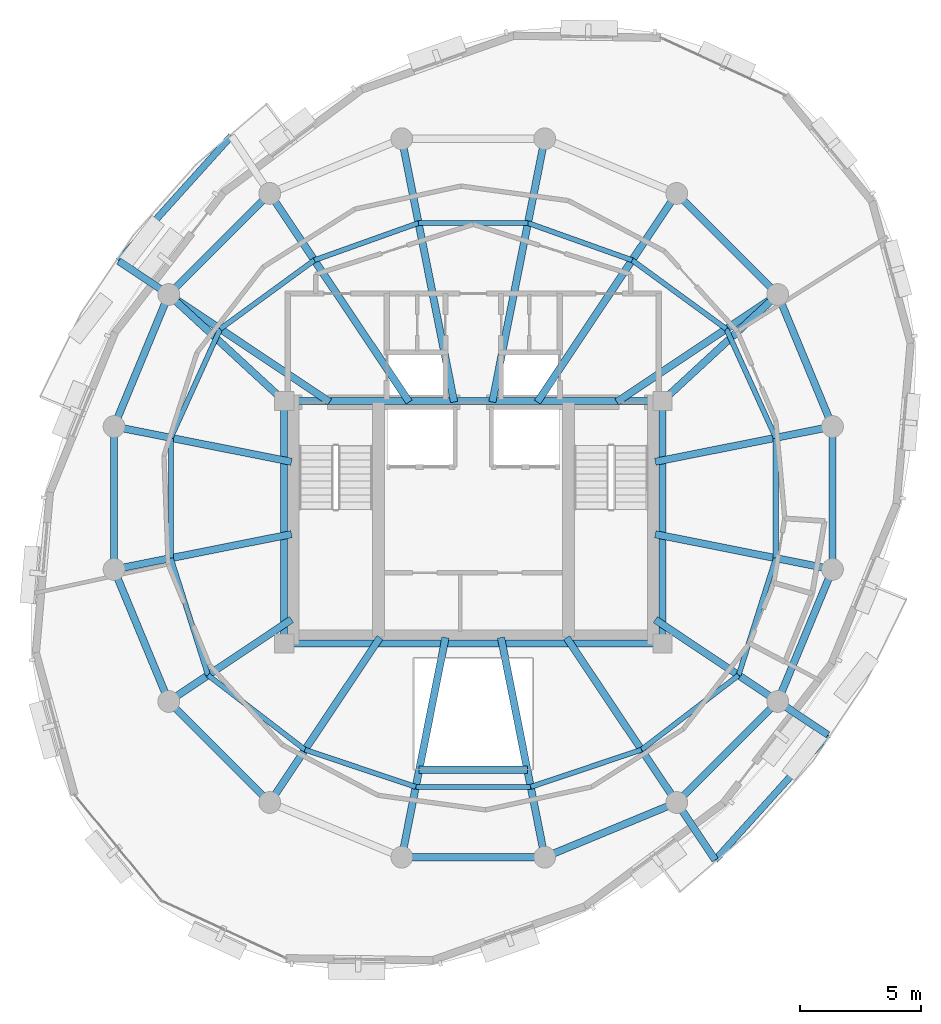
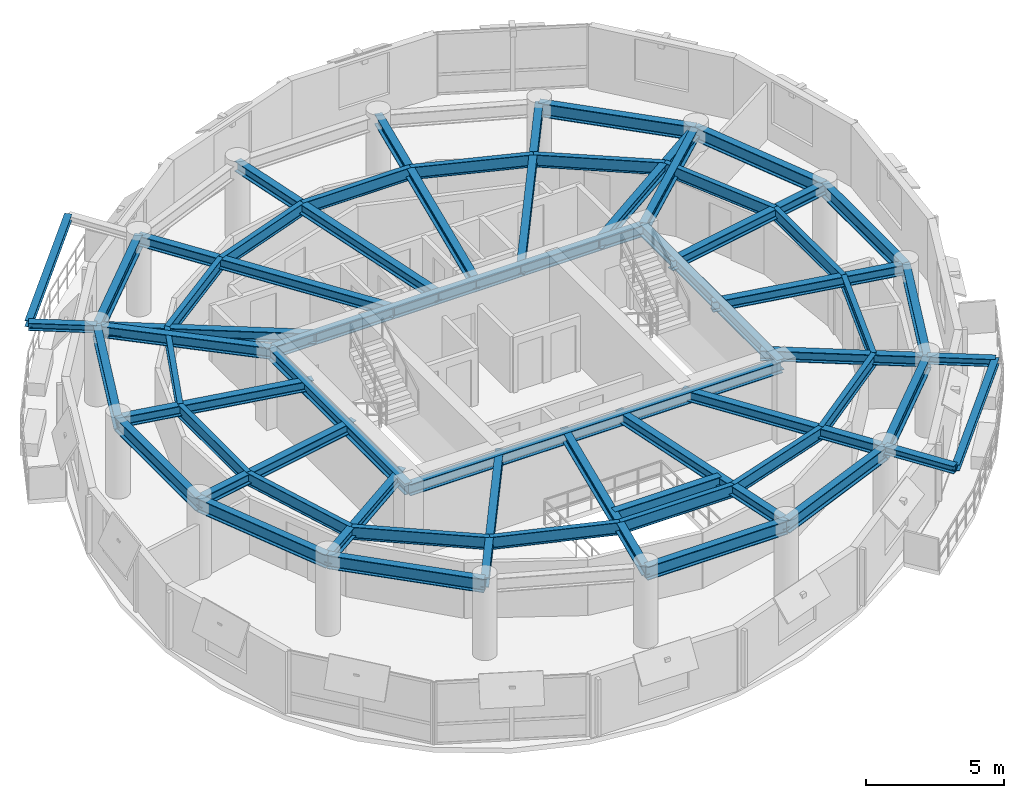
# One storey, part 3 of 11: 56 beams.
"""IFC4 building model written with IfcOpenShell, lengths in metres."""

from ifc_helpers import new_model, si_unit, direction, frame, origin, origin_2d, place, context, subcontext, project, spatial, i_section, extrude, material, material_profile, profile_set, type_object, element, save


model = new_model("IFC4")

# Units and contexts
model_context = context("Model", 3, precision=1e-05, world=origin(), true_north=direction((0.0, 1.0)))
body_context = subcontext(model_context, "Body", "Model", "MODEL_VIEW")
ifc_project = project(units=[si_unit("LENGTHUNIT", "METRE"), si_unit("AREAUNIT", "SQUARE_METRE"), si_unit("VOLUMEUNIT", "CUBIC_METRE"), si_unit("PLANEANGLEUNIT", "RADIAN"), si_unit("MASSUNIT", "GRAM", prefix="KILO"), si_unit("THERMODYNAMICTEMPERATUREUNIT", "KELVIN"), si_unit("POWERUNIT", "WATT")], contexts=[model_context])

# Site, building, storey
site_placement = place(None, origin())
site = spatial("IfcSite", under=ifc_project, at=site_placement, CompositionType="ELEMENT")
building_placement = place(site_placement, origin())
building = spatial("IfcBuilding", under=site, at=building_placement, Name="Ocrelia Relay Tower", CompositionType="ELEMENT")
storey_placement = place(building_placement, frame((0.0, 0.0, 248.39990234375)))
storey = spatial("IfcBuildingStorey", under=building, at=storey_placement, Name="L61", CompositionType="ELEMENT", Elevation=248.39990234375)

# Beams
ifc_material = material(Name="Steel S355", Category="steel")
ifc_material_profile_1 = material_profile(ifc_material, i_section(OverallWidth=0.280029296875, OverallDepth=0.27001953125, WebThickness=0.008056640625, FlangeThickness=0.012939453125, FilletRadius=0.02392578125, at=origin_2d()), Name="HEA 280")
ifc_profile_set_1 = profile_set([ifc_material_profile_1], Name="Steel S355")
beam_type_1 = type_object("IfcBeamType", Name="BM-HEA280", PredefinedType="BEAM", material=ifc_profile_set_1)
for number, where, z_axis, x_axis, name in (
    (1, (24.026123046875, 40.927001953125, 3.2451171875), (-0.669438669791, -0.742867328255, 0.0), (0.742867328255, -0.669438669791, 0.0), "L62 Balcony Edge Trimmer Beam B1"),
    (2, (43.973876953125, 11.072998046875, 3.2451171875), (0.669438669791, 0.742867328255, 0.0), (-0.742867328255, 0.669438669791, 0.0), "L62 Balcony Edge Trimmer Beam B2"),
):
    element("IfcBeam", number, at=place(storey_placement, frame(where, z_axis=z_axis, x_axis=x_axis)), inside=storey, type_object=beam_type_1, Name=name, PredefinedType="BEAM", context=body_context, shape_type="SweptSolid", body=[
        extrude(i_section(OverallWidth=0.280029296875, OverallDepth=0.27001953125, WebThickness=0.008056640625, FlangeThickness=0.012939453125, FilletRadius=0.02392578125, at=origin_2d()), origin(), (0.0, 0.0, 1.0), 6.9423828125),
    ])
ifc_material_profile_2 = material_profile(ifc_material, i_section(OverallWidth=0.300048828125, OverallDepth=0.330078125, WebThickness=0.009521484375, FlangeThickness=0.0166015625, FilletRadius=0.027099609375, at=origin_2d()), Name="HEA 340")
ifc_profile_set_2 = profile_set([ifc_material_profile_2], Name="Steel S355")
beam_type_2 = type_object("IfcBeamType", Name="BM-HEA340", PredefinedType="BEAM", material=ifc_profile_set_2)
beam_1_placement = place(storey_placement, frame((21.44482421875, 34.38916015625, 3.215087890625), z_axis=(-0.831460345356, 0.555584101735, 0.0), x_axis=(-0.555584101735, -0.831460345356, 0.0)))
element("IfcBeam", 3, at=beam_1_placement, inside=storey, type_object=beam_type_2, Name="L62 Balcony Cantilever Beam B1-2", PredefinedType="BEAM", context=body_context, shape_type="SweptSolid", body=[
    extrude(i_section(OverallWidth=0.300048828125, OverallDepth=0.330078125, WebThickness=0.009521484375, FlangeThickness=0.0166015625, FilletRadius=0.027099609375, at=origin_2d()), origin(), (0.0, 0.0, 1.0), 2.48486328125),
])
beam_2_placement = place(storey_placement, frame((42.38916015625, 13.44482421875, 3.215087890625), z_axis=(0.555549199734, -0.83148366591, 0.0), x_axis=(0.83148366591, 0.555549199734, 0.0)))
element("IfcBeam", 4, at=beam_2_placement, inside=storey, type_object=beam_type_2, Name="L62 Balcony Cantilever Beam B2-1", PredefinedType="BEAM", context=body_context, shape_type="SweptSolid", body=[
    extrude(i_section(OverallWidth=0.300048828125, OverallDepth=0.330078125, WebThickness=0.009521484375, FlangeThickness=0.0166015625, FilletRadius=0.027099609375, at=origin_2d()), origin(), (0.0, 0.0, 1.0), 2.8525390625),
])
beam_3_placement = place(storey_placement, frame((46.55517578125, 17.61083984375, 3.215087890625), z_axis=(0.831460345356, -0.555584101735, 0.0), x_axis=(0.555584101735, 0.831460345356, 0.0)))
element("IfcBeam", 5, at=beam_3_placement, inside=storey, type_object=beam_type_2, Name="L62 Balcony Cantilever Beam B2-2", PredefinedType="BEAM", context=body_context, shape_type="SweptSolid", body=[
    extrude(i_section(OverallWidth=0.300048828125, OverallDepth=0.330078125, WebThickness=0.009521484375, FlangeThickness=0.0166015625, FilletRadius=0.027099609375, at=origin_2d()), origin(), (0.0, 0.0, 1.0), 2.48486328125),
])
ifc_material_profile_3 = material_profile(ifc_material, i_section(OverallWidth=0.300048828125, OverallDepth=0.449951171875, WebThickness=0.013916015625, FlangeThickness=0.02587890625, FilletRadius=0.027099609375, at=origin_2d()), Name="HEB 450")
ifc_profile_set_3 = profile_set([ifc_material_profile_3], Name="Steel S355")
beam_type_3 = type_object("IfcBeamType", Name="BM-HEB450", PredefinedType="BEAM", material=ifc_profile_set_3)
beam_4_placement = place(storey_placement, frame((48.809814453125, 28.94580078125, 3.155029296875), z_axis=(-0.980789400571, -0.195069607393, 0.0), x_axis=(0.195069607393, -0.980789400571, 0.0)))
element("IfcBeam", 6, at=beam_4_placement, inside=storey, type_object=beam_type_3, Name="L61 Radial Floor Girder R01", PredefinedType="BEAM", context=body_context, shape_type="SweptSolid", body=[
    extrude(i_section(OverallWidth=0.300048828125, OverallDepth=0.449951171875, WebThickness=0.013916015625, FlangeThickness=0.02587890625, FilletRadius=0.027099609375, at=origin_2d()), origin(), (0.0, 0.0, 1.0), 7.447998046875),
])
beam_5_placement = place(storey_placement, frame((46.55517578125, 34.38916015625, 3.155029296875), z_axis=(-0.83146627118, -0.555575233331, 0.0), x_axis=(0.555575233331, -0.83146627118, 0.0)))
element("IfcBeam", 7, at=beam_5_placement, inside=storey, type_object=beam_type_3, Name="L61 Radial Floor Girder R02", PredefinedType="BEAM", context=body_context, shape_type="SweptSolid", body=[
    extrude(i_section(OverallWidth=0.300048828125, OverallDepth=0.449951171875, WebThickness=0.013916015625, FlangeThickness=0.02587890625, FilletRadius=0.027099609375, at=origin_2d()), origin(), (0.0, 0.0, 1.0), 7.98095703125),
])
beam_6_placement = place(storey_placement, frame((42.38916015625, 38.55517578125, 3.155029296875), z_axis=(-0.555582296999, -0.831461551283, 0.0), x_axis=(0.831461551283, -0.555582296999, 0.0)))
element("IfcBeam", 8, at=beam_6_placement, inside=storey, type_object=beam_type_3, Name="L61 Radial Floor Girder R03", PredefinedType="BEAM", context=body_context, shape_type="SweptSolid", body=[
    extrude(i_section(OverallWidth=0.300048828125, OverallDepth=0.449951171875, WebThickness=0.013916015625, FlangeThickness=0.02587890625, FilletRadius=0.027099609375, at=origin_2d()), origin(), (0.0, 0.0, 1.0), 10.34326171875),
])
for number, where, z_axis, x_axis, name in (
    (9, (36.94580078125, 40.809814453125, 3.155029296875), (-0.195093658495, -0.98078461673, 0.0), (0.98078461673, -0.195093658495, 0.0), "L61 Radial Floor Girder R04"),
    (10, (31.05419921875, 40.809814453125, 3.155029296875), (0.195093658495, -0.98078461673, 0.0), (0.98078461673, 0.195093658495, 0.0), "L61 Radial Floor Girder R05"),
):
    element("IfcBeam", number, at=place(storey_placement, frame(where, z_axis=z_axis, x_axis=x_axis)), inside=storey, type_object=beam_type_3, Name=name, PredefinedType="BEAM", context=body_context, shape_type="SweptSolid", body=[
        extrude(i_section(OverallWidth=0.300048828125, OverallDepth=0.449951171875, WebThickness=0.013916015625, FlangeThickness=0.02587890625, FilletRadius=0.027099609375, at=origin_2d()), origin(), (0.0, 0.0, 1.0), 11.0673828125),
    ])
beam_7_placement = place(storey_placement, frame((25.61083984375, 38.55517578125, 3.155029296875), z_axis=(0.555582296999, -0.831461551283, 0.0), x_axis=(0.831461551283, 0.555582296999, 0.0)))
element("IfcBeam", 11, at=beam_7_placement, inside=storey, type_object=beam_type_3, Name="L61 Radial Floor Girder R06", PredefinedType="BEAM", context=body_context, shape_type="SweptSolid", body=[
    extrude(i_section(OverallWidth=0.300048828125, OverallDepth=0.449951171875, WebThickness=0.013916015625, FlangeThickness=0.02587890625, FilletRadius=0.027099609375, at=origin_2d()), origin(), (0.0, 0.0, 1.0), 10.34326171875),
])
beam_8_placement = place(storey_placement, frame((21.44482421875, 34.38916015625, 3.155029296875), z_axis=(0.83146627118, -0.555575233331, 0.0), x_axis=(0.555575233331, 0.83146627118, 0.0)))
element("IfcBeam", 12, at=beam_8_placement, inside=storey, type_object=beam_type_3, Name="L61 Radial Floor Girder R07", PredefinedType="BEAM", context=body_context, shape_type="SweptSolid", body=[
    extrude(i_section(OverallWidth=0.300048828125, OverallDepth=0.449951171875, WebThickness=0.013916015625, FlangeThickness=0.02587890625, FilletRadius=0.027099609375, at=origin_2d()), origin(), (0.0, 0.0, 1.0), 7.98095703125),
])
for number, where, z_axis, x_axis, name in (
    (13, (19.190185546875, 28.94580078125, 3.155029296875), (0.980789122594, -0.195071005024, 0.0), (0.195071005024, 0.980789122594, 0.0), "L61 Radial Floor Girder R08"),
    (14, (19.190185546875, 23.05419921875, 3.155029296875), (0.980789122594, 0.195071005024, 0.0), (-0.195071005024, 0.980789122594, 0.0), "L61 Radial Floor Girder R09"),
):
    element("IfcBeam", number, at=place(storey_placement, frame(where, z_axis=z_axis, x_axis=x_axis)), inside=storey, type_object=beam_type_3, Name=name, PredefinedType="BEAM", context=body_context, shape_type="SweptSolid", body=[
        extrude(i_section(OverallWidth=0.300048828125, OverallDepth=0.449951171875, WebThickness=0.013916015625, FlangeThickness=0.02587890625, FilletRadius=0.027099609375, at=origin_2d()), origin(), (0.0, 0.0, 1.0), 7.4580078125),
    ])
beam_9_placement = place(storey_placement, frame((21.44482421875, 17.61083984375, 3.155029296875), z_axis=(0.831463505153, 0.555579372906, 0.0), x_axis=(-0.555579372906, 0.831463505153, 0.0)))
element("IfcBeam", 15, at=beam_9_placement, inside=storey, type_object=beam_type_3, Name="L61 Radial Floor Girder R10", PredefinedType="BEAM", context=body_context, shape_type="SweptSolid", body=[
    extrude(i_section(OverallWidth=0.300048828125, OverallDepth=0.449951171875, WebThickness=0.013916015625, FlangeThickness=0.02587890625, FilletRadius=0.027099609375, at=origin_2d()), origin(), (0.0, 0.0, 1.0), 6.085693359375),
])
beam_10_placement = place(storey_placement, frame((25.61083984375, 13.44482421875, 3.155029296875), z_axis=(0.555560991962, 0.831475786906, 0.0), x_axis=(-0.831475786906, 0.555560991962, 0.0)))
element("IfcBeam", 16, at=beam_10_placement, inside=storey, type_object=beam_type_3, Name="L61 Radial Floor Girder R11", PredefinedType="BEAM", context=body_context, shape_type="SweptSolid", body=[
    extrude(i_section(OverallWidth=0.300048828125, OverallDepth=0.449951171875, WebThickness=0.013916015625, FlangeThickness=0.02587890625, FilletRadius=0.027099609375, at=origin_2d()), origin(), (0.0, 0.0, 1.0), 8.178466796875),
])
for number, where, z_axis, x_axis, name in (
    (17, (31.05419921875, 11.190185546875, 3.155029296875), (0.195078600472, 0.98078761189, 0.0), (-0.98078761189, 0.195078600472, 0.0), "L61 Radial Floor Girder R12"),
    (18, (36.94580078125, 11.190185546875, 3.155029296875), (-0.195078600472, 0.98078761189, 0.0), (-0.98078761189, -0.195078600472, 0.0), "L61 Radial Floor Girder R13"),
):
    element("IfcBeam", number, at=place(storey_placement, frame(where, z_axis=z_axis, x_axis=x_axis)), inside=storey, type_object=beam_type_3, Name=name, PredefinedType="BEAM", context=body_context, shape_type="SweptSolid", body=[
        extrude(i_section(OverallWidth=0.300048828125, OverallDepth=0.449951171875, WebThickness=0.013916015625, FlangeThickness=0.02587890625, FilletRadius=0.027099609375, at=origin_2d()), origin(), (0.0, 0.0, 1.0), 9.232421875),
    ])
beam_11_placement = place(storey_placement, frame((42.38916015625, 13.44482421875, 3.155029296875), z_axis=(-0.555560991962, 0.831475786906, 0.0), x_axis=(-0.831475786906, -0.555560991962, 0.0)))
element("IfcBeam", 19, at=beam_11_placement, inside=storey, type_object=beam_type_3, Name="L61 Radial Floor Girder R14", PredefinedType="BEAM", context=body_context, shape_type="SweptSolid", body=[
    extrude(i_section(OverallWidth=0.300048828125, OverallDepth=0.449951171875, WebThickness=0.013916015625, FlangeThickness=0.02587890625, FilletRadius=0.027099609375, at=origin_2d()), origin(), (0.0, 0.0, 1.0), 8.178466796875),
])
beam_12_placement = place(storey_placement, frame((46.55517578125, 17.61083984375, 3.155029296875), z_axis=(-0.831468559595, 0.555571808504, 0.0), x_axis=(-0.555571808504, -0.831468559595, 0.0)))
element("IfcBeam", 20, at=beam_12_placement, inside=storey, type_object=beam_type_3, Name="L61 Radial Floor Girder R15", PredefinedType="BEAM", context=body_context, shape_type="SweptSolid", body=[
    extrude(i_section(OverallWidth=0.300048828125, OverallDepth=0.449951171875, WebThickness=0.013916015625, FlangeThickness=0.02587890625, FilletRadius=0.027099609375, at=origin_2d()), origin(), (0.0, 0.0, 1.0), 6.073974609375),
])
beam_13_placement = place(storey_placement, frame((48.809814453125, 23.05419921875, 3.155029296875), z_axis=(-0.980789400571, 0.195069607393, 0.0), x_axis=(-0.195069607393, -0.980789400571, 0.0)))
element("IfcBeam", 21, at=beam_13_placement, inside=storey, type_object=beam_type_3, Name="L61 Radial Floor Girder R16", PredefinedType="BEAM", context=body_context, shape_type="SweptSolid", body=[
    extrude(i_section(OverallWidth=0.300048828125, OverallDepth=0.449951171875, WebThickness=0.013916015625, FlangeThickness=0.02587890625, FilletRadius=0.027099609375, at=origin_2d()), origin(), (0.0, 0.0, 1.0), 7.447998046875),
])
ifc_material_profile_4 = material_profile(ifc_material, i_section(OverallWidth=0.300048828125, OverallDepth=0.5, WebThickness=0.014404296875, FlangeThickness=0.028076171875, FilletRadius=0.027099609375, at=origin_2d()), Name="HEB 500")
ifc_profile_set_4 = profile_set([ifc_material_profile_4], Name="Steel S355")
beam_type_4 = type_object("IfcBeamType", Name="BM-HEB500", PredefinedType="BEAM", material=ifc_profile_set_4)
for number, where, z_axis, x_axis, name in (
    (22, (26.199951171875, 20.0, 3.130126953125), (1.0, 0.0, 0.0), (0.0, 1.0, 0.0), "L61 Core Pilaster Tie Beam S"),
    (23, (26.199951171875, 30.0, 3.130126953125), (1.0, 0.0, 0.0), (0.0, 1.0, 0.0), "L61 Core Pilaster Tie Beam N"),
):
    element("IfcBeam", number, at=place(storey_placement, frame(where, z_axis=z_axis, x_axis=x_axis)), inside=storey, type_object=beam_type_4, Name=name, PredefinedType="BEAM", context=body_context, shape_type="SweptSolid", body=[
        extrude(i_section(OverallWidth=0.300048828125, OverallDepth=0.5, WebThickness=0.014404296875, FlangeThickness=0.028076171875, FilletRadius=0.027099609375, at=origin_2d()), origin(), (0.0, 0.0, 1.0), 15.60009765625),
    ])
for number, where, z_axis, x_axis, name in (
    (24, (26.199951171875, 20.0, 3.130126953125), (0.0, 1.0, 0.0), (-1.0, 0.0, 0.0), "L61 Core Pilaster Tie Beam W"),
    (25, (41.800048828125, 20.0, 3.130126953125), (0.0, 1.0, 0.0), (-1.0, 0.0, 0.0), "L61 Core Pilaster Tie Beam E"),
):
    element("IfcBeam", number, at=place(storey_placement, frame(where, z_axis=z_axis, x_axis=x_axis)), inside=storey, type_object=beam_type_4, Name=name, PredefinedType="BEAM", context=body_context, shape_type="SweptSolid", body=[
        extrude(i_section(OverallWidth=0.300048828125, OverallDepth=0.5, WebThickness=0.014404296875, FlangeThickness=0.028076171875, FilletRadius=0.027099609375, at=origin_2d()), origin(), (0.0, 0.0, 1.0), 10.0),
    ])
for number, where, z_axis, x_axis, name in (
    (26, (46.55517578125, 34.38916015625, 3.130126953125), (-0.734817908666, -0.678264433023, 0.0), (0.678264433023, -0.734817908666, 0.0), "L61 Core Pilaster Frame Tie Beam PT02"),
    (27, (21.44482421875, 34.38916015625, 3.130126953125), (0.734817908666, -0.678264433023, 0.0), (0.678264433023, 0.734817908666, 0.0), "L61 Core Pilaster Frame Tie Beam PT07"),
):
    element("IfcBeam", number, at=place(storey_placement, frame(where, z_axis=z_axis, x_axis=x_axis)), inside=storey, type_object=beam_type_4, Name=name, PredefinedType="BEAM", context=body_context, shape_type="SweptSolid", body=[
        extrude(i_section(OverallWidth=0.300048828125, OverallDepth=0.5, WebThickness=0.014404296875, FlangeThickness=0.028076171875, FilletRadius=0.027099609375, at=origin_2d()), origin(), (0.0, 0.0, 1.0), 6.47119140625),
    ])
ifc_material_profile_5 = material_profile(ifc_material, i_section(OverallWidth=0.300048828125, OverallDepth=0.550048828125, WebThickness=0.014892578125, FlangeThickness=0.029052734375, FilletRadius=0.027099609375, at=origin_2d()), Name="HEB 550")
ifc_profile_set_5 = profile_set([ifc_material_profile_5], Name="Steel S355")
beam_type_5 = type_object("IfcBeamType", Name="BM-HEB550", PredefinedType="BEAM", material=ifc_profile_set_5)
beam_14_placement = place(storey_placement, frame((31.772216796875, 14.800048828125, 3.10498046875), z_axis=(1.0, 0.0, 0.0), x_axis=(0.0, 1.0, 0.0)))
element("IfcBeam", 28, at=beam_14_placement, inside=storey, type_object=beam_type_5, Name="L61 Atrium South Trimmer Beam", PredefinedType="BEAM", context=body_context, shape_type="SweptSolid", body=[
    extrude(i_section(OverallWidth=0.300048828125, OverallDepth=0.550048828125, WebThickness=0.014892578125, FlangeThickness=0.029052734375, FilletRadius=0.027099609375, at=origin_2d()), origin(), (0.0, 0.0, 1.0), 4.45556640625),
])
ifc_material_profile_6 = material_profile(ifc_material, i_section(OverallWidth=0.300048828125, OverallDepth=0.60009765625, WebThickness=0.015380859375, FlangeThickness=0.030029296875, FilletRadius=0.027099609375, at=origin_2d()), Name="HEB 600")
ifc_profile_set_6 = profile_set([ifc_material_profile_6], Name="Steel S355")
beam_type_6 = type_object("IfcBeamType", Name="BM-HEB600", PredefinedType="BEAM", material=ifc_profile_set_6)
beam_15_placement = place(storey_placement, frame((48.809814453125, 28.94580078125, 3.080078125), z_axis=(-0.382672624084, 0.923884009374, 0.0), x_axis=(-0.923884009374, -0.382672624084, 0.0)))
element("IfcBeam", 29, at=beam_15_placement, inside=storey, type_object=beam_type_6, Name="L61 Perimeter Spandrel Beam S01", PredefinedType="BEAM", context=body_context, shape_type="SweptSolid", body=[
    extrude(i_section(OverallWidth=0.300048828125, OverallDepth=0.60009765625, WebThickness=0.015380859375, FlangeThickness=0.030029296875, FilletRadius=0.027099609375, at=origin_2d()), origin(), (0.0, 0.0, 1.0), 5.891845703125),
])
for number, where, z_axis, x_axis, name in (
    (30, (46.55517578125, 34.38916015625, 3.080078125), (-0.707106781187, 0.707106781187, 0.0), (-0.707106781187, -0.707106781187, 0.0), "L61 Perimeter Spandrel Beam S02"),
    (31, (25.61083984375, 38.55517578125, 3.080078125), (-0.707106781187, -0.707106781187, 0.0), (0.707106781187, -0.707106781187, 0.0), "L61 Perimeter Spandrel Beam S06"),
):
    element("IfcBeam", number, at=place(storey_placement, frame(where, z_axis=z_axis, x_axis=x_axis)), inside=storey, type_object=beam_type_6, Name=name, PredefinedType="BEAM", context=body_context, shape_type="SweptSolid", body=[
        extrude(i_section(OverallWidth=0.300048828125, OverallDepth=0.60009765625, WebThickness=0.015380859375, FlangeThickness=0.030029296875, FilletRadius=0.027099609375, at=origin_2d()), origin(), (0.0, 0.0, 1.0), 5.8916015625),
    ])
beam_16_placement = place(storey_placement, frame((21.44482421875, 34.38916015625, 3.080078125), z_axis=(-0.382672624084, -0.923884009374, 0.0), x_axis=(0.923884009374, -0.382672624084, 0.0)))
element("IfcBeam", 32, at=beam_16_placement, inside=storey, type_object=beam_type_6, Name="L61 Perimeter Spandrel Beam S07", PredefinedType="BEAM", context=body_context, shape_type="SweptSolid", body=[
    extrude(i_section(OverallWidth=0.300048828125, OverallDepth=0.60009765625, WebThickness=0.015380859375, FlangeThickness=0.030029296875, FilletRadius=0.027099609375, at=origin_2d()), origin(), (0.0, 0.0, 1.0), 5.891845703125),
])
beam_17_placement = place(storey_placement, frame((19.190185546875, 28.94580078125, 3.080078125), z_axis=(0.0, -1.0, 0.0), x_axis=(1.0, 0.0, 0.0)))
element("IfcBeam", 33, at=beam_17_placement, inside=storey, type_object=beam_type_6, Name="L61 Perimeter Spandrel Beam S08", PredefinedType="BEAM", context=body_context, shape_type="SweptSolid", body=[
    extrude(i_section(OverallWidth=0.300048828125, OverallDepth=0.60009765625, WebThickness=0.015380859375, FlangeThickness=0.030029296875, FilletRadius=0.027099609375, at=origin_2d()), origin(), (0.0, 0.0, 1.0), 5.8916015625),
])
beam_18_placement = place(storey_placement, frame((19.190185546875, 23.05419921875, 3.080078125), z_axis=(0.382672624084, -0.923884009374, 0.0), x_axis=(0.923884009374, 0.382672624084, 0.0)))
element("IfcBeam", 34, at=beam_18_placement, inside=storey, type_object=beam_type_6, Name="L61 Perimeter Spandrel Beam S09", PredefinedType="BEAM", context=body_context, shape_type="SweptSolid", body=[
    extrude(i_section(OverallWidth=0.300048828125, OverallDepth=0.60009765625, WebThickness=0.015380859375, FlangeThickness=0.030029296875, FilletRadius=0.027099609375, at=origin_2d()), origin(), (0.0, 0.0, 1.0), 5.891845703125),
])
for number, where, z_axis, x_axis, name in (
    (35, (21.44482421875, 17.61083984375, 3.080078125), (0.707106781187, -0.707106781187, 0.0), (0.707106781187, 0.707106781187, 0.0), "L61 Perimeter Spandrel Beam S10"),
    (36, (31.05419921875, 11.190185546875, 3.080078125), (1.0, 0.0, 0.0), (0.0, 1.0, 0.0), "L61 Perimeter Spandrel Beam S12"),
):
    element("IfcBeam", number, at=place(storey_placement, frame(where, z_axis=z_axis, x_axis=x_axis)), inside=storey, type_object=beam_type_6, Name=name, PredefinedType="BEAM", context=body_context, shape_type="SweptSolid", body=[
        extrude(i_section(OverallWidth=0.300048828125, OverallDepth=0.60009765625, WebThickness=0.015380859375, FlangeThickness=0.030029296875, FilletRadius=0.027099609375, at=origin_2d()), origin(), (0.0, 0.0, 1.0), 5.8916015625),
    ])
beam_19_placement = place(storey_placement, frame((36.94580078125, 11.190185546875, 3.080078125), z_axis=(0.923884009374, 0.382672624084, 0.0), x_axis=(-0.382672624084, 0.923884009374, 0.0)))
element("IfcBeam", 37, at=beam_19_placement, inside=storey, type_object=beam_type_6, Name="L61 Perimeter Spandrel Beam S13", PredefinedType="BEAM", context=body_context, shape_type="SweptSolid", body=[
    extrude(i_section(OverallWidth=0.300048828125, OverallDepth=0.60009765625, WebThickness=0.015380859375, FlangeThickness=0.030029296875, FilletRadius=0.027099609375, at=origin_2d()), origin(), (0.0, 0.0, 1.0), 5.891845703125),
])
beam_20_placement = place(storey_placement, frame((42.38916015625, 13.44482421875, 3.080078125), z_axis=(0.707106781187, 0.707106781187, 0.0), x_axis=(-0.707106781187, 0.707106781187, 0.0)))
element("IfcBeam", 38, at=beam_20_placement, inside=storey, type_object=beam_type_6, Name="L61 Perimeter Spandrel Beam S14", PredefinedType="BEAM", context=body_context, shape_type="SweptSolid", body=[
    extrude(i_section(OverallWidth=0.300048828125, OverallDepth=0.60009765625, WebThickness=0.015380859375, FlangeThickness=0.030029296875, FilletRadius=0.027099609375, at=origin_2d()), origin(), (0.0, 0.0, 1.0), 5.8916015625),
])
beam_21_placement = place(storey_placement, frame((46.55517578125, 17.61083984375, 3.080078125), z_axis=(0.382672624084, 0.923884009374, 0.0), x_axis=(-0.923884009374, 0.382672624084, 0.0)))
element("IfcBeam", 39, at=beam_21_placement, inside=storey, type_object=beam_type_6, Name="L61 Perimeter Spandrel Beam S15", PredefinedType="BEAM", context=body_context, shape_type="SweptSolid", body=[
    extrude(i_section(OverallWidth=0.300048828125, OverallDepth=0.60009765625, WebThickness=0.015380859375, FlangeThickness=0.030029296875, FilletRadius=0.027099609375, at=origin_2d()), origin(), (0.0, 0.0, 1.0), 5.891845703125),
])
beam_22_placement = place(storey_placement, frame((48.809814453125, 23.05419921875, 3.080078125), z_axis=(0.0, 1.0, 0.0), x_axis=(-1.0, 0.0, 0.0)))
element("IfcBeam", 40, at=beam_22_placement, inside=storey, type_object=beam_type_6, Name="L61 Perimeter Spandrel Beam S16", PredefinedType="BEAM", context=body_context, shape_type="SweptSolid", body=[
    extrude(i_section(OverallWidth=0.300048828125, OverallDepth=0.60009765625, WebThickness=0.015380859375, FlangeThickness=0.030029296875, FilletRadius=0.027099609375, at=origin_2d()), origin(), (0.0, 0.0, 1.0), 5.8916015625),
])
ifc_material_profile_7 = material_profile(ifc_material, i_section(OverallWidth=0.2099609375, OverallDepth=0.550048828125, WebThickness=0.010986328125, FlangeThickness=0.01708984375, FilletRadius=0.02392578125, at=origin_2d()), Name="IPE 550")
ifc_profile_set_7 = profile_set([ifc_material_profile_7], Name="Steel S355")
beam_type_7 = type_object("IfcBeamType", Name="BM-IPE550", PredefinedType="JOIST", material=ifc_profile_set_7)
beam_23_placement = place(storey_placement, frame((46.472412109375, 28.48095703125, 3.10498046875), z_axis=(-0.413836514443, 0.91035121756, 0.0), x_axis=(-0.91035121756, -0.413836514443, 0.0)))
element("IfcBeam", 41, at=beam_23_placement, inside=storey, type_object=beam_type_7, Name="L61 Secondary Floor Joist J01", PredefinedType="JOIST", context=body_context, shape_type="SweptSolid", body=[
    extrude(i_section(OverallWidth=0.2099609375, OverallDepth=0.550048828125, WebThickness=0.010986328125, FlangeThickness=0.01708984375, FilletRadius=0.02392578125, at=origin_2d()), origin(), (0.0, 0.0, 1.0), 4.931396484375),
])
beam_24_placement = place(storey_placement, frame((44.431640625, 32.97021484375, 3.10498046875), z_axis=(-0.80774844416, 0.58952731146, 0.0), x_axis=(-0.58952731146, -0.80774844416, 0.0)))
element("IfcBeam", 42, at=beam_24_placement, inside=storey, type_object=beam_type_7, Name="L61 Secondary Floor Joist J02", PredefinedType="JOIST", context=body_context, shape_type="SweptSolid", body=[
    extrude(i_section(OverallWidth=0.2099609375, OverallDepth=0.550048828125, WebThickness=0.010986328125, FlangeThickness=0.01708984375, FilletRadius=0.02392578125, at=origin_2d()), origin(), (0.0, 0.0, 1.0), 4.80517578125),
])
beam_25_placement = place(storey_placement, frame((40.55029296875, 35.802978515625, 3.10498046875), z_axis=(-0.94180245035, 0.336166840298, 0.0), x_axis=(-0.336166840298, -0.94180245035, 0.0)))
element("IfcBeam", 43, at=beam_25_placement, inside=storey, type_object=beam_type_7, Name="L61 Secondary Floor Joist J03", PredefinedType="JOIST", context=body_context, shape_type="SweptSolid", body=[
    extrude(i_section(OverallWidth=0.2099609375, OverallDepth=0.550048828125, WebThickness=0.010986328125, FlangeThickness=0.01708984375, FilletRadius=0.02392578125, at=origin_2d()), origin(), (0.0, 0.0, 1.0), 4.560791015625),
])
beam_26_placement = place(storey_placement, frame((36.2548828125, 37.336181640625, 3.10498046875), z_axis=(-1.0, 0.0, 0.0), x_axis=(0.0, -1.0, 0.0)))
element("IfcBeam", 44, at=beam_26_placement, inside=storey, type_object=beam_type_7, Name="L61 Secondary Floor Joist J04", PredefinedType="JOIST", context=body_context, shape_type="SweptSolid", body=[
    extrude(i_section(OverallWidth=0.2099609375, OverallDepth=0.550048828125, WebThickness=0.010986328125, FlangeThickness=0.01708984375, FilletRadius=0.02392578125, at=origin_2d()), origin(), (0.0, 0.0, 1.0), 4.509765625),
])
beam_27_placement = place(storey_placement, frame((31.7451171875, 37.336181640625, 3.10498046875), z_axis=(-0.94180245035, -0.336166840298, 0.0), x_axis=(0.336166840298, -0.94180245035, 0.0)))
element("IfcBeam", 45, at=beam_27_placement, inside=storey, type_object=beam_type_7, Name="L61 Secondary Floor Joist J05", PredefinedType="JOIST", context=body_context, shape_type="SweptSolid", body=[
    extrude(i_section(OverallWidth=0.2099609375, OverallDepth=0.550048828125, WebThickness=0.010986328125, FlangeThickness=0.01708984375, FilletRadius=0.02392578125, at=origin_2d()), origin(), (0.0, 0.0, 1.0), 4.560791015625),
])
beam_28_placement = place(storey_placement, frame((27.44970703125, 35.802978515625, 3.10498046875), z_axis=(-0.80774844416, -0.58952731146, 0.0), x_axis=(0.58952731146, -0.80774844416, 0.0)))
element("IfcBeam", 46, at=beam_28_placement, inside=storey, type_object=beam_type_7, Name="L61 Secondary Floor Joist J06", PredefinedType="JOIST", context=body_context, shape_type="SweptSolid", body=[
    extrude(i_section(OverallWidth=0.2099609375, OverallDepth=0.550048828125, WebThickness=0.010986328125, FlangeThickness=0.01708984375, FilletRadius=0.02392578125, at=origin_2d()), origin(), (0.0, 0.0, 1.0), 4.80517578125),
])
beam_29_placement = place(storey_placement, frame((23.568359375, 32.97021484375, 3.10498046875), z_axis=(-0.413205957462, -0.910637599003, 0.0), x_axis=(0.910637599003, -0.413205957462, 0.0)))
element("IfcBeam", 47, at=beam_29_placement, inside=storey, type_object=beam_type_7, Name="L61 Secondary Floor Joist J07", PredefinedType="JOIST", context=body_context, shape_type="SweptSolid", body=[
    extrude(i_section(OverallWidth=0.2099609375, OverallDepth=0.550048828125, WebThickness=0.010986328125, FlangeThickness=0.01708984375, FilletRadius=0.02392578125, at=origin_2d()), origin(), (0.0, 0.0, 1.0), 4.9306640625),
])
beam_30_placement = place(storey_placement, frame((21.531005859375, 28.480224609375, 3.10498046875), z_axis=(0.0, -1.0, 0.0), x_axis=(1.0, 0.0, 0.0)))
element("IfcBeam", 48, at=beam_30_placement, inside=storey, type_object=beam_type_7, Name="L61 Secondary Floor Joist J08", PredefinedType="JOIST", context=body_context, shape_type="SweptSolid", body=[
    extrude(i_section(OverallWidth=0.2099609375, OverallDepth=0.550048828125, WebThickness=0.010986328125, FlangeThickness=0.01708984375, FilletRadius=0.02392578125, at=origin_2d()), origin(), (0.0, 0.0, 1.0), 4.96044921875),
])
beam_31_placement = place(storey_placement, frame((21.531005859375, 23.519775390625, 3.10498046875), z_axis=(0.302732054046, -0.953075707094, 0.0), x_axis=(0.953075707094, 0.302732054046, 0.0)))
element("IfcBeam", 49, at=beam_31_placement, inside=storey, type_object=beam_type_7, Name="L61 Secondary Floor Joist J09", PredefinedType="JOIST", context=body_context, shape_type="SweptSolid", body=[
    extrude(i_section(OverallWidth=0.2099609375, OverallDepth=0.550048828125, WebThickness=0.010986328125, FlangeThickness=0.01708984375, FilletRadius=0.02392578125, at=origin_2d()), origin(), (0.0, 0.0, 1.0), 5.064453125),
])
beam_32_placement = place(storey_placement, frame((23.064208984375, 18.69287109375, 3.10498046875), z_axis=(0.793147291367, -0.60902986314, 0.0), x_axis=(0.60902986314, 0.793147291367, 0.0)))
element("IfcBeam", 50, at=beam_32_placement, inside=storey, type_object=beam_type_7, Name="L61 Secondary Floor Joist J10", PredefinedType="JOIST", context=body_context, shape_type="SweptSolid", body=[
    extrude(i_section(OverallWidth=0.2099609375, OverallDepth=0.550048828125, WebThickness=0.010986328125, FlangeThickness=0.01708984375, FilletRadius=0.02392578125, at=origin_2d()), origin(), (0.0, 0.0, 1.0), 5.044189453125),
])
beam_33_placement = place(storey_placement, frame((27.06494140625, 15.620849609375, 3.10498046875), z_axis=(0.947976335242, -0.318340804519, 0.0), x_axis=(0.318340804519, 0.947976335242, 0.0)))
element("IfcBeam", 51, at=beam_33_placement, inside=storey, type_object=beam_type_7, Name="L61 Secondary Floor Joist J11", PredefinedType="JOIST", context=body_context, shape_type="SweptSolid", body=[
    extrude(i_section(OverallWidth=0.2099609375, OverallDepth=0.550048828125, WebThickness=0.010986328125, FlangeThickness=0.01708984375, FilletRadius=0.02392578125, at=origin_2d()), origin(), (0.0, 0.0, 1.0), 4.816162109375),
])
beam_34_placement = place(storey_placement, frame((31.630615234375, 14.087646484375, 3.10498046875), z_axis=(1.0, 0.0, 0.0), x_axis=(0.0, 1.0, 0.0)))
element("IfcBeam", 52, at=beam_34_placement, inside=storey, type_object=beam_type_7, Name="L61 Secondary Floor Joist J12", PredefinedType="JOIST", context=body_context, shape_type="SweptSolid", body=[
    extrude(i_section(OverallWidth=0.2099609375, OverallDepth=0.550048828125, WebThickness=0.010986328125, FlangeThickness=0.01708984375, FilletRadius=0.02392578125, at=origin_2d()), origin(), (0.0, 0.0, 1.0), 4.73876953125),
])
beam_35_placement = place(storey_placement, frame((36.369384765625, 14.087646484375, 3.10498046875), z_axis=(0.947976335242, 0.318340804519, 0.0), x_axis=(-0.318340804519, 0.947976335242, 0.0)))
element("IfcBeam", 53, at=beam_35_placement, inside=storey, type_object=beam_type_7, Name="L61 Secondary Floor Joist J13", PredefinedType="JOIST", context=body_context, shape_type="SweptSolid", body=[
    extrude(i_section(OverallWidth=0.2099609375, OverallDepth=0.550048828125, WebThickness=0.010986328125, FlangeThickness=0.01708984375, FilletRadius=0.02392578125, at=origin_2d()), origin(), (0.0, 0.0, 1.0), 4.816162109375),
])
beam_36_placement = place(storey_placement, frame((40.93505859375, 15.620849609375, 3.10498046875), z_axis=(0.793608697717, 0.608428496134, 0.0), x_axis=(-0.608428496134, 0.793608697717, 0.0)))
element("IfcBeam", 54, at=beam_36_placement, inside=storey, type_object=beam_type_7, Name="L61 Secondary Floor Joist J14", PredefinedType="JOIST", context=body_context, shape_type="SweptSolid", body=[
    extrude(i_section(OverallWidth=0.2099609375, OverallDepth=0.550048828125, WebThickness=0.010986328125, FlangeThickness=0.01708984375, FilletRadius=0.02392578125, at=origin_2d()), origin(), (0.0, 0.0, 1.0), 5.04541015625),
])
beam_37_placement = place(storey_placement, frame((44.939208984375, 18.690673828125, 3.10498046875), z_axis=(0.302648624063, 0.953102203519, 0.0), x_axis=(-0.953102203519, 0.302648624063, 0.0)))
element("IfcBeam", 55, at=beam_37_placement, inside=storey, type_object=beam_type_7, Name="L61 Secondary Floor Joist J15", PredefinedType="JOIST", context=body_context, shape_type="SweptSolid", body=[
    extrude(i_section(OverallWidth=0.2099609375, OverallDepth=0.550048828125, WebThickness=0.010986328125, FlangeThickness=0.01708984375, FilletRadius=0.02392578125, at=origin_2d()), origin(), (0.0, 0.0, 1.0), 5.06591796875),
])
beam_38_placement = place(storey_placement, frame((46.472412109375, 23.51904296875, 3.10498046875), z_axis=(0.0, 1.0, 0.0), x_axis=(-1.0, 0.0, 0.0)))
element("IfcBeam", 56, at=beam_38_placement, inside=storey, type_object=beam_type_7, Name="L61 Secondary Floor Joist J16", PredefinedType="JOIST", context=body_context, shape_type="SweptSolid", body=[
    extrude(i_section(OverallWidth=0.2099609375, OverallDepth=0.550048828125, WebThickness=0.010986328125, FlangeThickness=0.01708984375, FilletRadius=0.02392578125, at=origin_2d()), origin(), (0.0, 0.0, 1.0), 4.9619140625),
])

save(model, "model.ifc")
